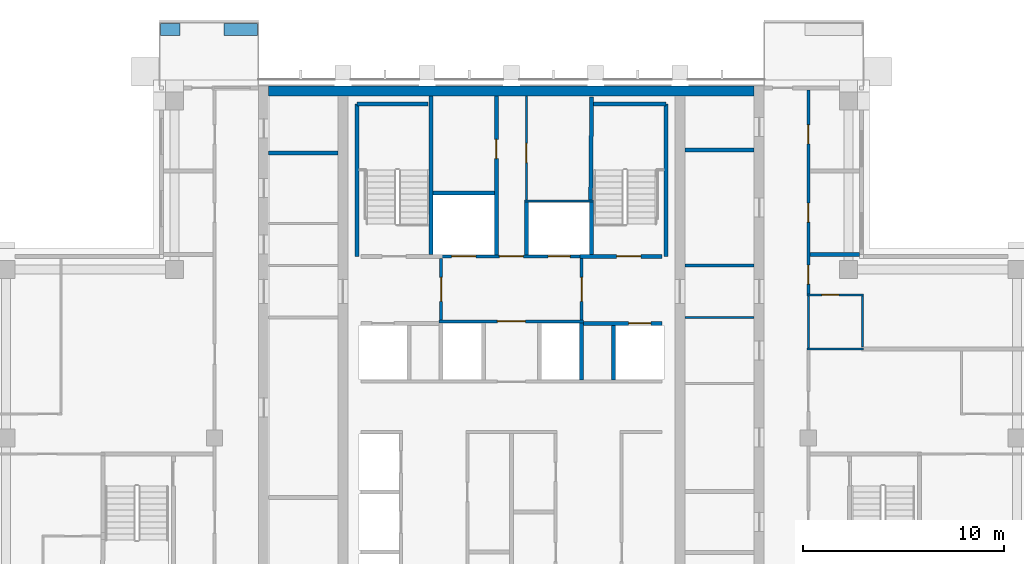
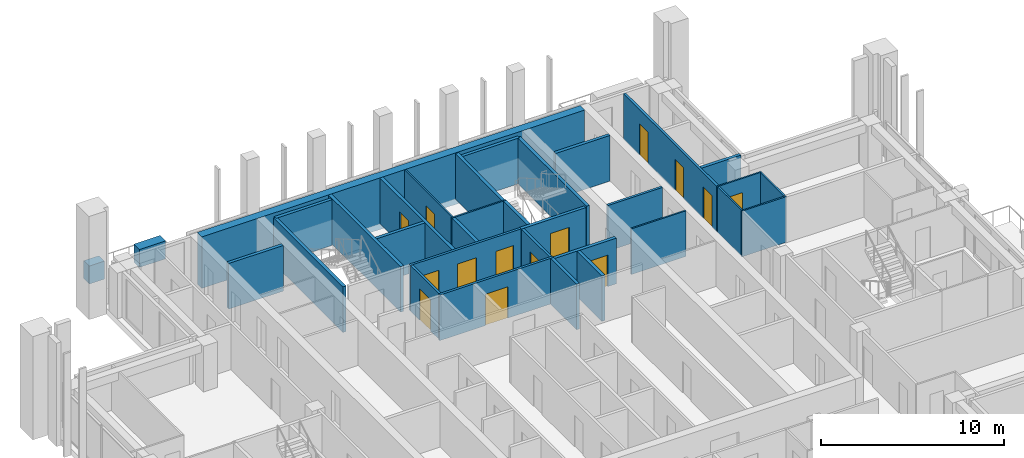
# One storey, part 13 of 18: 33 walls, 14 doors, 14 openings.
"""IFC4 building model written with IfcOpenShell, lengths in metres."""

from ifc_helpers import new_model, si_unit, direction, frame, frame_2d, origin, place, context, subcontext, project, spatial, rectangle, extrude, material, layer, layer_set, type_object, element, fill, save


model = new_model("IFC4")

# Units and contexts
model_context = context("Model", 3, precision=1e-05, world=origin(), true_north=direction((0.0, 1.0)))
body_context = subcontext(model_context, "Body", "Model", "MODEL_VIEW")
ifc_project = project(units=[si_unit("LENGTHUNIT", "METRE"), si_unit("AREAUNIT", "SQUARE_METRE"), si_unit("VOLUMEUNIT", "CUBIC_METRE"), si_unit("PLANEANGLEUNIT", "RADIAN"), si_unit("MASSUNIT", "GRAM", prefix="KILO")], contexts=[model_context])

# Site, building, storey
site_placement = place(None, origin())
site = spatial("IfcSite", under=ifc_project, at=site_placement, CompositionType="ELEMENT")
building_placement = place(site_placement, origin())
building = spatial("IfcBuilding", under=site, at=building_placement, Name="Vermilion Ogive Tower", CompositionType="ELEMENT")
storey_placement = place(building_placement, frame((0.0, 0.0, 240.699951171875)))
storey = spatial("IfcBuildingStorey", under=building, at=storey_placement, Name="L63", CompositionType="ELEMENT", Elevation=240.699951171875)

# Walls
ifc_material_1 = material(Name="Concrete B60", Category="concrete")
ifc_layer_1 = layer(ifc_material_1, 0.5)
ifc_layer_set_1 = layer_set([ifc_layer_1], Name="Core wall 500 B60")
wall_type_1 = type_object("IfcWallType", Name="Core wall 500 B60", PredefinedType="SHEAR", material=ifc_layer_set_1)
wall_1_placement = place(storey_placement, frame((-12.10009765625, 21.5, -0.39990234375), z_axis=(0.0, 0.0, 1.0), x_axis=(1.0, 0.0, 0.0)))
element("IfcWall", 1, at=wall_1_placement, inside=storey, type_object=wall_type_1, Name="L63-CORE-N", PredefinedType="SHEAR", context=body_context, shape_type="SweptSolid", body=[
    extrude(rectangle(XDim=24.2001953125, YDim=0.5, at=frame_2d((12.10009765625, 0.0))), origin(), (0.0, 0.0, 1.0), 3.449951171875),
])
ifc_material_2 = material(Name="Gypsum board partition on steel studs", Category="steel")
ifc_layer_2 = layer(ifc_material_2, 0.10009765625)
ifc_layer_set_2 = layer_set([ifc_layer_2], Name="Partition 100 bath")
wall_type_2 = type_object("IfcWallType", Name="Partition 100 bath", PredefinedType="PARTITIONING", material=ifc_layer_set_2)
wall_2_placement = place(storey_placement, frame((14.72509765625, 8.6298828125, 0.0), z_axis=(0.0, 0.0, 1.0), x_axis=(1.0, 0.0, 0.0)))
element("IfcWall", 2, at=wall_2_placement, inside=storey, type_object=wall_type_2, Name="L63-W-W030", PredefinedType="PARTITIONING", context=body_context, shape_type="SweptSolid", body=[
    extrude(rectangle(XDim=2.824951171875, YDim=0.10009765625, at=frame_2d((1.41259765625, 0.0))), origin(), (0.0, 0.0, 1.0), 3.050048828125),
])

# Wall, opening, door
wall_3_placement = place(storey_placement, frame((14.72509765625, 11.330078125, 0.0), z_axis=(0.0, 0.0, 1.0), x_axis=(1.0, 0.0, 0.0)))
wall_3 = element("IfcWall", 3, at=wall_3_placement, inside=storey, type_object=wall_type_2, Name="L63-W-W032", PredefinedType="PARTITIONING", context=body_context, shape_type="SweptSolid", body=[
    extrude(rectangle(XDim=2.824951171875, YDim=0.10009765625, at=frame_2d((1.41259765625, 0.0))), origin(), (0.0, 0.0, 1.0), 3.050048828125),
])
opening_1_placement = place(wall_3_placement, frame((0.75, 0.0, 0.0)))
opening_1 = element("IfcOpeningElement", 4, at=opening_1_placement, cuts=wall_3, Name="Opening D5G3020", PredefinedType="OPENING", context=body_context, shape_type="SweptSolid", body=[
    extrude(rectangle(XDim=0.85009765625, YDim=2.10009765625, at=frame_2d((0.425048828125, 1.050048828125))), frame((0.0, 0.06005859375, 0.0), z_axis=(0.0, -1.0, 0.0), x_axis=(1.0, 0.0, 0.0)), (0.0, 0.0, 1.0), 0.1201171875),
])
ifc_material_3 = material(Name="Timber door leaf", Category="wood")
door_type_1 = type_object("IfcDoorType", Name="Bath door 850 x 2100 FD30", OperationType="SINGLE_SWING_LEFT", PredefinedType="DOOR", material=ifc_material_3)
door_1_placement = place(opening_1_placement, origin())
door_1 = element("IfcDoor", 5, at=door_1_placement, inside=storey, type_object=door_type_1, Name="L63-D-D020", OperationType="SINGLE_SWING_RIGHT", OverallHeight=2.10009765625, OverallWidth=0.85009765625, PredefinedType="DOOR", context=body_context, shape_type="SweptSolid", body=[
    extrude(rectangle(XDim=0.85009765625, YDim=2.10009765625, at=frame_2d((0.425048828125, 1.050048828125))), frame((0.0, 0.02490234375, 0.0), z_axis=(0.0, -1.0, 0.0), x_axis=(1.0, 0.0, 0.0)), (0.0, 0.0, 1.0), 0.050048828125),
])
fill(opening_1, door_1)

# Walls
wall_4_placement = place(storey_placement, frame((14.800048828125, 8.679931640625, 0.0), z_axis=(0.0, 0.0, 1.0), x_axis=(0.0, 1.0, 0.0)))
element("IfcWall", 6, at=wall_4_placement, inside=storey, type_object=wall_type_2, Name="L63-W-W055", PredefinedType="PARTITIONING", context=body_context, shape_type="SweptSolid", body=[
    extrude(rectangle(XDim=2.60009765625, YDim=0.10009765625, at=frame_2d((1.300048828125, 0.0))), origin(), (0.0, 0.0, 1.0), 3.050048828125),
])
wall_5_placement = place(storey_placement, frame((17.5, 8.72998046875, 0.0), z_axis=(0.0, 0.0, 1.0), x_axis=(0.0, 1.0, 0.0)))
element("IfcWall", 7, at=wall_5_placement, inside=storey, type_object=wall_type_2, Name="L63-W-W059", PredefinedType="PARTITIONING", context=body_context, shape_type="SweptSolid", body=[
    extrude(rectangle(XDim=2.550048828125, YDim=0.10009765625, at=frame_2d((1.27490234375, 0.0))), origin(), (0.0, 0.0, 1.0), 3.050048828125),
])
wall_6_placement = place(storey_placement, frame((0.64990234375, 16.0, 0.0), z_axis=(0.0, 0.0, 1.0), x_axis=(1.0, 0.0, 0.0)))
element("IfcWall", 8, at=wall_6_placement, inside=storey, type_object=wall_type_2, Name="L63-CK-W-W018", PredefinedType="PARTITIONING", context=body_context, shape_type="SweptSolid", body=[
    extrude(rectangle(XDim=3.4501953125, YDim=0.10009765625, at=frame_2d((1.72509765625, 0.0))), origin(), (0.0, 0.0, 1.0), 3.050048828125),
])

# Wall, opening, door
wall_7_placement = place(storey_placement, frame((0.75, 16.050048828125, 0.0), z_axis=(0.0, 0.0, 1.0), x_axis=(0.0, 1.0, 0.0)))
wall_7 = element("IfcWall", 9, at=wall_7_placement, inside=storey, type_object=wall_type_2, Name="L63-CK-W-W030", PredefinedType="PARTITIONING", context=body_context, shape_type="SweptSolid", body=[
    extrude(rectangle(XDim=5.198974609375, YDim=0.10009765625, at=frame_2d((2.599609375, 0.0))), origin(), (0.0, 0.0, 1.0), 3.050048828125),
])
opening_2_placement = place(wall_7_placement, frame((1.875, 0.0, 0.0)))
opening_2 = element("IfcOpeningElement", 10, at=opening_2_placement, cuts=wall_7, Name="Opening DAA597", PredefinedType="OPENING", context=body_context, shape_type="SweptSolid", body=[
    extrude(rectangle(XDim=0.949951171875, YDim=2.10009765625, at=frame_2d((0.47509765625, 1.050048828125))), frame((0.0, 0.06005859375, 0.0), z_axis=(0.0, -1.0, 0.0), x_axis=(1.0, 0.0, 0.0)), (0.0, 0.0, 1.0), 0.1201171875),
])
ifc_material_4 = material(Name="Timber door leaf", Category="wood")
door_type_2 = type_object("IfcDoorType", Name="Service door 950 x 2100 FD60", OperationType="SINGLE_SWING_LEFT", PredefinedType="DOOR", material=ifc_material_4)
door_2_placement = place(opening_2_placement, origin())
door_2 = element("IfcDoor", 11, at=door_2_placement, inside=storey, type_object=door_type_2, Name="L63-CK-D-D022", OperationType="SINGLE_SWING_LEFT", OverallHeight=2.10009765625, OverallWidth=0.949951171875, PredefinedType="DOOR", context=body_context, shape_type="SweptSolid", body=[
    extrude(rectangle(XDim=0.949951171875, YDim=2.10009765625, at=frame_2d((0.47509765625, 1.050048828125))), frame((0.0, 0.02490234375, 0.0), z_axis=(0.0, -1.0, 0.0), x_axis=(1.0, 0.0, 0.0)), (0.0, 0.0, 1.0), 0.050048828125),
])
fill(opening_2, door_2)

# Wall
wall_8_placement = place(storey_placement, frame((8.65087890625, 10.199951171875, 0.0), z_axis=(0.0, 0.0, 1.0), x_axis=(1.0, 0.0, 0.0)))
element("IfcWall", 12, at=wall_8_placement, inside=storey, type_object=wall_type_2, Name="L63-CKE-W-W004", PredefinedType="PARTITIONING", context=body_context, shape_type="SweptSolid", body=[
    extrude(rectangle(XDim=3.4482421875, YDim=0.10009765625, at=frame_2d((1.72412109375, 0.0))), origin(), (0.0, 0.0, 1.0), 3.050048828125),
])

# Wall, openings, doors
ifc_material_5 = material(Name="Gypsum board partition on steel studs", Category="steel")
ifc_layer_3 = layer(ifc_material_5, 0.14990234375)
ifc_layer_set_3 = layer_set([ifc_layer_3], Name="Partition 150 corridor")
wall_type_3 = type_object("IfcWallType", Name="Partition 150 corridor", PredefinedType="PARTITIONING", material=ifc_layer_set_3)
wall_9_placement = place(storey_placement, frame((14.800048828125, 11.3798828125, 0.0), z_axis=(0.0, 0.0, 1.0), x_axis=(0.0, 1.0, 0.0)))
wall_9 = element("IfcWall", 13, at=wall_9_placement, inside=storey, type_object=wall_type_3, Name="L63-W-W056", PredefinedType="PARTITIONING", context=body_context, shape_type="SweptSolid", body=[
    extrude(rectangle(XDim=10.170166015625, YDim=0.14990234375, at=frame_2d((5.0849609375, 0.0))), origin(), (0.0, 0.0, 1.0), 3.050048828125),
])
opening_3_placement = place(wall_9_placement, frame((0.485107421875, 0.0, 0.0)))
opening_3 = element("IfcOpeningElement", 14, at=opening_3_placement, cuts=wall_9, Name="Opening D5G3019", PredefinedType="OPENING", context=body_context, shape_type="SweptSolid", body=[
    extrude(rectangle(XDim=0.949951171875, YDim=2.10009765625, at=frame_2d((0.47509765625, 1.050048828125))), frame((0.0, 0.0849609375, 0.0), z_axis=(0.0, -1.0, 0.0), x_axis=(1.0, 0.0, 0.0)), (0.0, 0.0, 1.0), 0.169921875),
])
opening_4_placement = place(wall_9_placement, frame((3.570068359375, 0.0, 0.0)))
opening_4 = element("IfcOpeningElement", 15, at=opening_4_placement, cuts=wall_9, Name="Opening D5G3021", PredefinedType="OPENING", context=body_context, shape_type="SweptSolid", body=[
    extrude(rectangle(XDim=0.949951171875, YDim=2.10009765625, at=frame_2d((0.47509765625, 1.050048828125))), frame((0.0, 0.0849609375, 0.0), z_axis=(0.0, -1.0, 0.0), x_axis=(1.0, 0.0, 0.0)), (0.0, 0.0, 1.0), 0.169921875),
])
opening_5_placement = place(wall_9_placement, frame((7.47021484375, 0.0, 0.0)))
opening_5 = element("IfcOpeningElement", 16, at=opening_5_placement, cuts=wall_9, Name="Opening D5G3022", PredefinedType="OPENING", context=body_context, shape_type="SweptSolid", body=[
    extrude(rectangle(XDim=0.949951171875, YDim=2.10009765625, at=frame_2d((0.47509765625, 1.050048828125))), frame((0.0, 0.0849609375, 0.0), z_axis=(0.0, -1.0, 0.0), x_axis=(1.0, 0.0, 0.0)), (0.0, 0.0, 1.0), 0.169921875),
])
ifc_material_6 = material(Name="Timber door leaf", Category="wood")
door_type_3 = type_object("IfcDoorType", Name="Unit door 950 x 2100 FD30S", OperationType="SINGLE_SWING_LEFT", PredefinedType="DOOR", material=ifc_material_6)
door_3_placement = place(opening_3_placement, origin())
door_3 = element("IfcDoor", 17, at=door_3_placement, inside=storey, type_object=door_type_3, Name="L63-D-D019", OperationType="SINGLE_SWING_RIGHT", OverallHeight=2.10009765625, OverallWidth=0.949951171875, PredefinedType="DOOR", context=body_context, shape_type="SweptSolid", body=[
    extrude(rectangle(XDim=0.949951171875, YDim=2.10009765625, at=frame_2d((0.47509765625, 1.050048828125))), frame((0.0, 0.02490234375, 0.0), z_axis=(0.0, -1.0, 0.0), x_axis=(1.0, 0.0, 0.0)), (0.0, 0.0, 1.0), 0.050048828125),
])
fill(opening_3, door_3)
door_4_placement = place(opening_4_placement, origin())
door_4 = element("IfcDoor", 18, at=door_4_placement, inside=storey, type_object=door_type_3, Name="L63-D-D021", OperationType="SINGLE_SWING_RIGHT", OverallHeight=2.10009765625, OverallWidth=0.949951171875, PredefinedType="DOOR", context=body_context, shape_type="SweptSolid", body=[
    extrude(rectangle(XDim=0.949951171875, YDim=2.10009765625, at=frame_2d((0.47509765625, 1.050048828125))), frame((0.0, 0.02490234375, 0.0), z_axis=(0.0, -1.0, 0.0), x_axis=(1.0, 0.0, 0.0)), (0.0, 0.0, 1.0), 0.050048828125),
])
fill(opening_4, door_4)
door_5_placement = place(opening_5_placement, origin())
door_5 = element("IfcDoor", 19, at=door_5_placement, inside=storey, type_object=door_type_3, Name="L63-D-D022", OperationType="SINGLE_SWING_RIGHT", OverallHeight=2.10009765625, OverallWidth=0.949951171875, PredefinedType="DOOR", context=body_context, shape_type="SweptSolid", body=[
    extrude(rectangle(XDim=0.949951171875, YDim=2.10009765625, at=frame_2d((0.47509765625, 1.050048828125))), frame((0.0, 0.02490234375, 0.0), z_axis=(0.0, -1.0, 0.0), x_axis=(1.0, 0.0, 0.0)), (0.0, 0.0, 1.0), 0.050048828125),
])
fill(opening_5, door_5)

# Wall, opening, door
wall_10_placement = place(storey_placement, frame((-3.60009765625, 10.0, 0.0), z_axis=(0.0, 0.0, 1.0), x_axis=(1.0, 0.0, 0.0)))
wall_10 = element("IfcWall", 20, at=wall_10_placement, inside=storey, type_object=wall_type_3, Name="L63-CK-W-W014", PredefinedType="PARTITIONING", context=body_context, shape_type="SweptSolid", body=[
    extrude(rectangle(XDim=7.2001953125, YDim=0.14990234375, at=frame_2d((3.60009765625, 0.0))), origin(), (0.0, 0.0, 1.0), 3.050048828125),
])
opening_6_placement = place(wall_10_placement, frame((2.900146484375, 0.0, 0.0)))
opening_6 = element("IfcOpeningElement", 21, at=opening_6_placement, cuts=wall_10, Name="Opening DAA588", PredefinedType="OPENING", context=body_context, shape_type="SweptSolid", body=[
    extrude(rectangle(XDim=1.39990234375, YDim=2.10009765625, at=frame_2d((0.699951171875, 1.050048828125))), frame((0.0, 0.0849609375, 0.0), z_axis=(0.0, -1.0, 0.0), x_axis=(1.0, 0.0, 0.0)), (0.0, 0.0, 1.0), 0.169921875),
])
ifc_material_7 = material(Name="Timber door leaf", Category="wood")
door_type_4 = type_object("IfcDoorType", Name="Lobby door 1400 x 2100 FD60S", OperationType="SINGLE_SWING_LEFT", PredefinedType="DOOR", material=ifc_material_7)
door_6_placement = place(opening_6_placement, origin())
door_6 = element("IfcDoor", 22, at=door_6_placement, inside=storey, type_object=door_type_4, Name="L63-CK-D-D017", OperationType="SINGLE_SWING_RIGHT", OverallHeight=2.10009765625, OverallWidth=1.39990234375, PredefinedType="DOOR", context=body_context, shape_type="SweptSolid", body=[
    extrude(rectangle(XDim=1.39990234375, YDim=2.10009765625, at=frame_2d((0.699951171875, 1.050048828125))), frame((0.0, 0.02490234375, 0.0), z_axis=(0.0, -1.0, 0.0), x_axis=(1.0, 0.0, 0.0)), (0.0, 0.0, 1.0), 0.050048828125),
])
fill(opening_6, door_6)

# Wall, openings, doors
wall_11_placement = place(storey_placement, frame((-3.574951171875, 13.25, 0.0), z_axis=(0.0, 0.0, 1.0), x_axis=(1.0, 0.0, 0.0)))
wall_11 = element("IfcWall", 23, at=wall_11_placement, inside=storey, type_object=wall_type_3, Name="L63-CK-W-W016", PredefinedType="PARTITIONING", context=body_context, shape_type="SweptSolid", body=[
    extrude(rectangle(XDim=7.14990234375, YDim=0.14990234375, at=frame_2d((3.574951171875, 0.0))), origin(), (0.0, 0.0, 1.0), 3.050048828125),
])
opening_7_placement = place(wall_11_placement, frame((0.599853515625, 0.0, 0.0)))
opening_7 = element("IfcOpeningElement", 24, at=opening_7_placement, cuts=wall_11, Name="Opening DAA608", PredefinedType="OPENING", context=body_context, shape_type="SweptSolid", body=[
    extrude(rectangle(XDim=1.199951171875, YDim=2.10009765625, at=frame_2d((0.60009765625, 1.050048828125))), frame((0.0, 0.0849609375, 0.0), z_axis=(0.0, -1.0, 0.0), x_axis=(1.0, 0.0, 0.0)), (0.0, 0.0, 1.0), 0.169921875),
])
opening_8_placement = place(wall_11_placement, frame((5.39990234375, 0.0, 0.0)))
opening_8 = element("IfcOpeningElement", 25, at=opening_8_placement, cuts=wall_11, Name="Opening DAA607", PredefinedType="OPENING", context=body_context, shape_type="SweptSolid", body=[
    extrude(rectangle(XDim=1.10009765625, YDim=2.10009765625, at=frame_2d((0.550048828125, 1.050048828125))), frame((0.0, 0.0849609375, 0.0), z_axis=(0.0, -1.0, 0.0), x_axis=(1.0, 0.0, 0.0)), (0.0, 0.0, 1.0), 0.169921875),
])
opening_9_placement = place(wall_11_placement, frame((2.974853515625, 0.0, 0.0)))
opening_9 = element("IfcOpeningElement", 26, at=opening_9_placement, cuts=wall_11, Name="Opening DAA589", PredefinedType="OPENING", context=body_context, shape_type="SweptSolid", body=[
    extrude(rectangle(XDim=1.199951171875, YDim=2.10009765625, at=frame_2d((0.60009765625, 1.050048828125))), frame((0.0, 0.0849609375, 0.0), z_axis=(0.0, -1.0, 0.0), x_axis=(1.0, 0.0, 0.0)), (0.0, 0.0, 1.0), 0.169921875),
])
ifc_material_8 = material(Name="Stainless steel", Category="steel")
door_type_5 = type_object("IfcDoorType", Name="Lift landing door 1100 x 2100", OperationType="SLIDING_TO_LEFT", PredefinedType="DOOR", material=ifc_material_8)
door_7_placement = place(opening_8_placement, origin())
door_7 = element("IfcDoor", 27, at=door_7_placement, inside=storey, type_object=door_type_5, Name="L63-CK-D-D019", OperationType="SLIDING_TO_LEFT", OverallHeight=2.10009765625, OverallWidth=1.10009765625, PredefinedType="DOOR", context=body_context, shape_type="SweptSolid", body=[
    extrude(rectangle(XDim=1.10009765625, YDim=2.10009765625, at=frame_2d((0.550048828125, 1.050048828125))), frame((0.0, 0.02490234375, 0.0), z_axis=(0.0, -1.0, 0.0), x_axis=(1.0, 0.0, 0.0)), (0.0, 0.0, 1.0), 0.050048828125),
])
fill(opening_8, door_7)
ifc_material_9 = material(Name="Stainless steel", Category="steel")
door_type_6 = type_object("IfcDoorType", Name="Lift landing door 1200 x 2100", OperationType="SLIDING_TO_LEFT", PredefinedType="DOOR", material=ifc_material_9)
door_8_placement = place(opening_7_placement, origin())
door_8 = element("IfcDoor", 28, at=door_8_placement, inside=storey, type_object=door_type_6, Name="L63-CK-D-D018", OperationType="SLIDING_TO_RIGHT", OverallHeight=2.10009765625, OverallWidth=1.199951171875, PredefinedType="DOOR", context=body_context, shape_type="SweptSolid", body=[
    extrude(rectangle(XDim=1.199951171875, YDim=2.10009765625, at=frame_2d((0.60009765625, 1.050048828125))), frame((0.0, 0.02490234375, 0.0), z_axis=(0.0, -1.0, 0.0), x_axis=(1.0, 0.0, 0.0)), (0.0, 0.0, 1.0), 0.050048828125),
])
fill(opening_7, door_8)
ifc_material_10 = material(Name="Timber door leaf", Category="wood")
door_type_7 = type_object("IfcDoorType", Name="Service door 1200 x 2100 FD60", OperationType="SINGLE_SWING_LEFT", PredefinedType="DOOR", material=ifc_material_10)
door_9_placement = place(opening_9_placement, origin())
door_9 = element("IfcDoor", 29, at=door_9_placement, inside=storey, type_object=door_type_7, Name="L63-CK-D-D020", OperationType="SINGLE_SWING_RIGHT", OverallHeight=2.10009765625, OverallWidth=1.199951171875, PredefinedType="DOOR", context=body_context, shape_type="SweptSolid", body=[
    extrude(rectangle(XDim=1.199951171875, YDim=2.10009765625, at=frame_2d((0.60009765625, 1.050048828125))), frame((0.0, 0.02490234375, 0.0), z_axis=(0.0, -1.0, 0.0), x_axis=(1.0, 0.0, 0.0)), (0.0, 0.0, 1.0), 0.050048828125),
])
fill(opening_9, door_9)

# Wall, opening, door
wall_12_placement = place(storey_placement, frame((-3.5, 10.074951171875, 0.0), z_axis=(0.0, 0.0, 1.0), x_axis=(0.0, 1.0, 0.0)))
wall_12 = element("IfcWall", 30, at=wall_12_placement, inside=storey, type_object=wall_type_3, Name="L63-CK-W-W024", PredefinedType="PARTITIONING", context=body_context, shape_type="SweptSolid", body=[
    extrude(rectangle(XDim=3.074951171875, YDim=0.14990234375, at=frame_2d((1.53759765625, 0.0))), origin(), (0.0, 0.0, 1.0), 3.050048828125),
])
opening_10_placement = place(wall_12_placement, frame((0.925048828125, 0.0, 0.0)))
opening_10 = element("IfcOpeningElement", 31, at=opening_10_placement, cuts=wall_12, Name="Opening DAA585", PredefinedType="OPENING", context=body_context, shape_type="SweptSolid", body=[
    extrude(rectangle(XDim=1.199951171875, YDim=2.10009765625, at=frame_2d((0.60009765625, 1.050048828125))), frame((0.0, 0.0849609375, 0.0), z_axis=(0.0, -1.0, 0.0), x_axis=(1.0, 0.0, 0.0)), (0.0, 0.0, 1.0), 0.169921875),
])
ifc_material_11 = material(Name="Timber door leaf", Category="wood")
door_type_8 = type_object("IfcDoorType", Name="Lobby door 1200 x 2100 FD60S", OperationType="SINGLE_SWING_LEFT", PredefinedType="DOOR", material=ifc_material_11)
door_10_placement = place(opening_10_placement, origin())
door_10 = element("IfcDoor", 32, at=door_10_placement, inside=storey, type_object=door_type_8, Name="L63-CK-D-D023", OperationType="SINGLE_SWING_RIGHT", OverallHeight=2.10009765625, OverallWidth=1.199951171875, PredefinedType="DOOR", context=body_context, shape_type="SweptSolid", body=[
    extrude(rectangle(XDim=1.199951171875, YDim=2.10009765625, at=frame_2d((0.60009765625, 1.050048828125))), frame((0.0, 0.02490234375, 0.0), z_axis=(0.0, -1.0, 0.0), x_axis=(1.0, 0.0, 0.0)), (0.0, 0.0, 1.0), 0.050048828125),
])
fill(opening_10, door_10)

wall_13_placement = place(storey_placement, frame((3.5, 10.074951171875, 0.0), z_axis=(0.0, 0.0, 1.0), x_axis=(0.0, 1.0, 0.0)))
wall_13 = element("IfcWall", 33, at=wall_13_placement, inside=storey, type_object=wall_type_3, Name="L63-CK-W-W034", PredefinedType="PARTITIONING", context=body_context, shape_type="SweptSolid", body=[
    extrude(rectangle(XDim=3.074951171875, YDim=0.14990234375, at=frame_2d((1.53759765625, 0.0))), origin(), (0.0, 0.0, 1.0), 3.050048828125),
])
opening_11_placement = place(wall_13_placement, frame((0.925048828125, 0.0, 0.0)))
opening_11 = element("IfcOpeningElement", 34, at=opening_11_placement, cuts=wall_13, Name="Opening DAA586", PredefinedType="OPENING", context=body_context, shape_type="SweptSolid", body=[
    extrude(rectangle(XDim=1.199951171875, YDim=2.10009765625, at=frame_2d((0.60009765625, 1.050048828125))), frame((0.0, 0.0849609375, 0.0), z_axis=(0.0, -1.0, 0.0), x_axis=(1.0, 0.0, 0.0)), (0.0, 0.0, 1.0), 0.169921875),
])
door_11_placement = place(opening_11_placement, origin())
door_11 = element("IfcDoor", 35, at=door_11_placement, inside=storey, type_object=door_type_8, Name="L63-CK-D-D024", OperationType="SINGLE_SWING_LEFT", OverallHeight=2.10009765625, OverallWidth=1.199951171875, PredefinedType="DOOR", context=body_context, shape_type="SweptSolid", body=[
    extrude(rectangle(XDim=1.199951171875, YDim=2.10009765625, at=frame_2d((0.60009765625, 1.050048828125))), frame((0.0, 0.02490234375, 0.0), z_axis=(0.0, -1.0, 0.0), x_axis=(1.0, 0.0, 0.0)), (0.0, 0.0, 1.0), 0.050048828125),
])
fill(opening_11, door_11)

# Walls
wall_14_placement = place(storey_placement, frame((8.65087890625, 12.800048828125, 0.0), z_axis=(0.0, 0.0, 1.0), x_axis=(1.0, 0.0, 0.0)))
element("IfcWall", 36, at=wall_14_placement, inside=storey, type_object=wall_type_3, Name="L63-CKE-W-W005", PredefinedType="PARTITIONING", context=body_context, shape_type="SweptSolid", body=[
    extrude(rectangle(XDim=3.4482421875, YDim=0.14990234375, at=frame_2d((1.72412109375, 0.0))), origin(), (0.0, 0.0, 1.0), 3.050048828125),
])
ifc_material_12 = material(Name="Gypsum board partition on steel studs", Category="steel")
ifc_layer_4 = layer(ifc_material_12, 0.199951171875)
ifc_layer_set_4 = layer_set([ifc_layer_4], Name="Partition 200 party")
wall_type_4 = type_object("IfcWallType", Name="Partition 200 party", PredefinedType="PARTITIONING", material=ifc_layer_set_4)
wall_15_placement = place(storey_placement, frame((14.875, 13.35009765625, 0.0), z_axis=(0.0, 0.0, 1.0), x_axis=(1.0, 0.0, 0.0)))
element("IfcWall", 37, at=wall_15_placement, inside=storey, type_object=wall_type_4, Name="L63-W-W034", PredefinedType="PARTITIONING", context=body_context, shape_type="SweptSolid", body=[
    extrude(rectangle(XDim=2.47509765625, YDim=0.199951171875, at=frame_2d((1.237548828125, 0.0))), origin(), (0.0, 0.0, 1.0), 3.050048828125),
])

# Wall, opening, door
wall_16_placement = place(storey_placement, frame((3.60009765625, 9.89990234375, 0.0), z_axis=(0.0, 0.0, 1.0), x_axis=(1.0, 0.0, 0.0)))
wall_16 = element("IfcWall", 38, at=wall_16_placement, inside=storey, type_object=wall_type_4, Name="L63-CK-W-W013", PredefinedType="PARTITIONING", context=body_context, shape_type="SweptSolid", body=[
    extrude(rectangle(XDim=3.89990234375, YDim=0.199951171875, at=frame_2d((1.949951171875, 0.0))), origin(), (0.0, 0.0, 1.0), 3.050048828125),
])
opening_12_placement = place(wall_16_placement, frame((2.25, 0.0, 0.0)))
opening_12 = element("IfcOpeningElement", 39, at=opening_12_placement, cuts=wall_16, Name="Opening DAA606", PredefinedType="OPENING", context=body_context, shape_type="SweptSolid", body=[
    extrude(rectangle(XDim=1.10009765625, YDim=2.10009765625, at=frame_2d((0.550048828125, 1.050048828125))), frame((0.0, 0.10986328125, 0.0), z_axis=(0.0, -1.0, 0.0), x_axis=(1.0, 0.0, 0.0)), (0.0, 0.0, 1.0), 0.219970703125),
])
door_12_placement = place(opening_12_placement, origin())
door_12 = element("IfcDoor", 40, at=door_12_placement, inside=storey, type_object=door_type_5, Name="L63-CK-D-D015", OperationType="SLIDING_TO_LEFT", OverallHeight=2.10009765625, OverallWidth=1.10009765625, PredefinedType="DOOR", context=body_context, shape_type="SweptSolid", body=[
    extrude(rectangle(XDim=1.10009765625, YDim=2.10009765625, at=frame_2d((0.550048828125, 1.050048828125))), frame((0.0, 0.02490234375, 0.0), z_axis=(0.0, -1.0, 0.0), x_axis=(1.0, 0.0, 0.0)), (0.0, 0.0, 1.0), 0.050048828125),
])
fill(opening_12, door_12)

# Wall
wall_17_placement = place(storey_placement, frame((-3.89990234375, 16.39990234375, 0.0), z_axis=(0.0, 0.0, 1.0), x_axis=(1.0, 0.0, 0.0)))
element("IfcWall", 41, at=wall_17_placement, inside=storey, type_object=wall_type_4, Name="L63-CK-W-W019", PredefinedType="PARTITIONING", context=body_context, shape_type="SweptSolid", body=[
    extrude(rectangle(XDim=3.0498046875, YDim=0.199951171875, at=frame_2d((1.52490234375, 0.0))), origin(), (0.0, 0.0, 1.0), 3.050048828125),
])

# Wall, opening, door
wall_18_placement = place(storey_placement, frame((-0.75, 13.324951171875, 0.0), z_axis=(0.0, 0.0, 1.0), x_axis=(0.0, 1.0, 0.0)))
wall_18 = element("IfcWall", 42, at=wall_18_placement, inside=storey, type_object=wall_type_4, Name="L63-CK-W-W027", PredefinedType="PARTITIONING", context=body_context, shape_type="SweptSolid", body=[
    extrude(rectangle(XDim=7.924072265625, YDim=0.199951171875, at=frame_2d((3.9619140625, 0.0))), origin(), (0.0, 0.0, 1.0), 3.050048828125),
])
opening_13_placement = place(wall_18_placement, frame((4.800048828125, 0.0, 0.0)))
opening_13 = element("IfcOpeningElement", 43, at=opening_13_placement, cuts=wall_18, Name="Opening DAA596", PredefinedType="OPENING", context=body_context, shape_type="SweptSolid", body=[
    extrude(rectangle(XDim=0.949951171875, YDim=2.10009765625, at=frame_2d((0.47509765625, 1.050048828125))), frame((0.0, 0.10986328125, 0.0), z_axis=(0.0, -1.0, 0.0), x_axis=(1.0, 0.0, 0.0)), (0.0, 0.0, 1.0), 0.219970703125),
])
door_13_placement = place(opening_13_placement, origin())
door_13 = element("IfcDoor", 44, at=door_13_placement, inside=storey, type_object=door_type_2, Name="L63-CK-D-D021", OperationType="SINGLE_SWING_RIGHT", OverallHeight=2.10009765625, OverallWidth=0.949951171875, PredefinedType="DOOR", context=body_context, shape_type="SweptSolid", body=[
    extrude(rectangle(XDim=0.949951171875, YDim=2.10009765625, at=frame_2d((0.47509765625, 1.050048828125))), frame((0.0, 0.02490234375, 0.0), z_axis=(0.0, -1.0, 0.0), x_axis=(1.0, 0.0, 0.0)), (0.0, 0.0, 1.0), 0.050048828125),
])
fill(opening_13, door_13)

# Walls
wall_19_placement = place(storey_placement, frame((0.75, 13.324951171875, 0.0), z_axis=(0.0, 0.0, 1.0), x_axis=(0.0, 1.0, 0.0)))
element("IfcWall", 45, at=wall_19_placement, inside=storey, type_object=wall_type_4, Name="L63-CK-W-W029", PredefinedType="PARTITIONING", context=body_context, shape_type="SweptSolid", body=[
    extrude(rectangle(XDim=2.625, YDim=0.199951171875, at=frame_2d((1.3125, 0.0))), origin(), (0.0, 0.0, 1.0), 3.050048828125),
])
wall_20_placement = place(storey_placement, frame((3.5, 7.074951171875, 0.0), z_axis=(0.0, 0.0, 1.0), x_axis=(0.0, 1.0, 0.0)))
element("IfcWall", 46, at=wall_20_placement, inside=storey, type_object=wall_type_4, Name="L63-CK-W-W033", PredefinedType="PARTITIONING", context=body_context, shape_type="SweptSolid", body=[
    extrude(rectangle(XDim=2.85009765625, YDim=0.199951171875, at=frame_2d((1.425048828125, 0.0))), origin(), (0.0, 0.0, 1.0), 3.050048828125),
])
wall_21_placement = place(storey_placement, frame((5.10009765625, 7.074951171875, 0.0), z_axis=(0.0, 0.0, 1.0), x_axis=(0.0, 1.0, 0.0)))
element("IfcWall", 47, at=wall_21_placement, inside=storey, type_object=wall_type_4, Name="L63-CK-W-W037", PredefinedType="PARTITIONING", context=body_context, shape_type="SweptSolid", body=[
    extrude(rectangle(XDim=2.72509765625, YDim=0.199951171875, at=frame_2d((1.362548828125, 0.0))), origin(), (0.0, 0.0, 1.0), 3.050048828125),
])
for number, where, z_axis, x_axis, name in (
    (48, (-12.09912109375, 18.410888671875, 0.0), (0.0, 0.0, 1.0), (1.0, 0.0, 0.0), "L63-CKW-W-W005"),
    (49, (8.65087890625, 18.56005859375, 0.0), (0.0, 0.0, 1.0), (1.0, 0.0, 0.0), "L63-CKE-W-W006"),
):
    element("IfcWall", number, at=place(storey_placement, frame(where, z_axis=z_axis, x_axis=x_axis)), inside=storey, type_object=wall_type_4, Name=name, PredefinedType="PARTITIONING", context=body_context, shape_type="SweptSolid", body=[
        extrude(rectangle(XDim=3.4482421875, YDim=0.199951171875, at=frame_2d((1.72412109375, 0.0))), origin(), (0.0, 0.0, 1.0), 3.050048828125),
    ])

# Wall, opening, door
ifc_material_13 = material(Name="Concrete B60", Category="concrete")
ifc_layer_5 = layer(ifc_material_13, 0.199951171875)
ifc_layer_set_5 = layer_set([ifc_layer_5], Name="Stair shaft wall 200 Concrete B60")
wall_type_5 = type_object("IfcWallType", Name="Stair shaft wall 200 Concrete B60", PredefinedType="SOLIDWALL", material=ifc_layer_set_5)
wall_22_placement = place(storey_placement, frame((3.425048828125, 13.25, 0.0), z_axis=(0.0, 0.0, 1.0), x_axis=(1.0, 0.0, 0.0)))
wall_22 = element("IfcWall", 50, at=wall_22_placement, inside=storey, type_object=wall_type_5, Name="L63-CK-W-W017", PredefinedType="SOLIDWALL", context=body_context, shape_type="SweptSolid", body=[
    extrude(rectangle(XDim=4.074951171875, YDim=0.199951171875, at=frame_2d((2.03759765625, 0.0))), origin(), (0.0, 0.0, 1.0), 3.050048828125),
])
opening_14_placement = place(wall_22_placement, frame((1.824951171875, 0.0, 0.0)))
opening_14 = element("IfcOpeningElement", 51, at=opening_14_placement, cuts=wall_22, Name="Opening DAA599", PredefinedType="OPENING", context=body_context, shape_type="SweptSolid", body=[
    extrude(rectangle(XDim=1.199951171875, YDim=2.10009765625, at=frame_2d((0.60009765625, 1.050048828125))), frame((0.0, 0.10986328125, 0.0), z_axis=(0.0, -1.0, 0.0), x_axis=(1.0, 0.0, 0.0)), (0.0, 0.0, 1.0), 0.219970703125),
])
ifc_material_14 = material(Name="Timber door leaf", Category="wood")
door_type_9 = type_object("IfcDoorType", Name="Stair door 1200 x 2100 FD60S", OperationType="SINGLE_SWING_LEFT", PredefinedType="DOOR", material=ifc_material_14)
door_14_placement = place(opening_14_placement, origin())
door_14 = element("IfcDoor", 52, at=door_14_placement, inside=storey, type_object=door_type_9, Name="L63-CK-D-D014", OperationType="SINGLE_SWING_RIGHT", OverallHeight=2.10009765625, OverallWidth=1.199951171875, PredefinedType="DOOR", context=body_context, shape_type="SweptSolid", body=[
    extrude(rectangle(XDim=1.199951171875, YDim=2.10009765625, at=frame_2d((0.60009765625, 1.050048828125))), frame((0.0, 0.02490234375, 0.0), z_axis=(0.0, -1.0, 0.0), x_axis=(1.0, 0.0, 0.0)), (0.0, 0.0, 1.0), 0.050048828125),
])
fill(opening_14, door_14)

# Walls
wall_23_placement = place(storey_placement, frame((-4.0, 13.35009765625, 0.0), z_axis=(0.0, 0.0, 1.0), x_axis=(0.0, 1.0, 0.0)))
element("IfcWall", 53, at=wall_23_placement, inside=storey, type_object=wall_type_5, Name="L63-CK-W-W022", PredefinedType="SOLIDWALL", context=body_context, shape_type="SweptSolid", body=[
    extrude(rectangle(XDim=7.89892578125, YDim=0.199951171875, at=frame_2d((3.949462890625, 0.0))), origin(), (0.0, 0.0, 1.0), 3.050048828125),
])
wall_24_placement = place(storey_placement, frame((4.0, 13.35009765625, 0.0), z_axis=(0.0, 0.0, 1.0), x_axis=(0.0, 1.0, 0.0)))
element("IfcWall", 54, at=wall_24_placement, inside=storey, type_object=wall_type_5, Name="L63-CK-W-W035", PredefinedType="SOLIDWALL", context=body_context, shape_type="SweptSolid", body=[
    extrude(rectangle(XDim=2.599853515625, YDim=0.199951171875, at=frame_2d((1.2998046875, 0.0))), origin(), (0.0, 0.0, 1.0), 3.050048828125),
])
wall_25_placement = place(storey_placement, frame((3.949951171875, 16.050048828125, 0.0), z_axis=(0.0, 0.0, 1.0), x_axis=(0.009719787395, 0.999952761751, 0.0)))
element("IfcWall", 55, at=wall_25_placement, inside=storey, type_object=wall_type_5, Name="L63-CK-W-W036", PredefinedType="SOLIDWALL", context=body_context, shape_type="SweptSolid", body=[
    extrude(rectangle(XDim=5.149169921875, YDim=0.199951171875, at=frame_2d((2.57470703125, 0.0))), origin(), (0.0, 0.0, 1.0), 3.050048828125),
])
wall_26_placement = place(storey_placement, frame((-7.699951171875, 13.25, 0.0), z_axis=(0.0, 0.0, 1.0), x_axis=(0.0, 1.0, 0.0)))
element("IfcWall", 56, at=wall_26_placement, inside=storey, type_object=wall_type_5, Name="L63-SW-R018-W1", PredefinedType="SOLIDWALL", context=body_context, shape_type="SweptSolid", body=[
    extrude(rectangle(XDim=7.60009765625, YDim=0.199951171875, at=frame_2d((3.800048828125, 0.0))), origin(), (0.0, 0.0, 1.0), 3.050048828125),
])
wall_27_placement = place(storey_placement, frame((-7.699951171875, 20.85009765625, 0.0), z_axis=(0.0, 0.0, 1.0), x_axis=(1.0, 0.0, 0.0)))
element("IfcWall", 57, at=wall_27_placement, inside=storey, type_object=wall_type_5, Name="L63-SW-R018-N1", PredefinedType="SOLIDWALL", context=body_context, shape_type="SweptSolid", body=[
    extrude(rectangle(XDim=3.550048828125, YDim=0.199951171875, at=frame_2d((1.77490234375, 0.0))), origin(), (0.0, 0.0, 1.0), 3.050048828125),
])
wall_28_placement = place(storey_placement, frame((7.699951171875, 13.25, 0.0), z_axis=(0.0, 0.0, 1.0), x_axis=(0.0, 1.0, 0.0)))
element("IfcWall", 58, at=wall_28_placement, inside=storey, type_object=wall_type_5, Name="L63-SW-R022-E1", PredefinedType="SOLIDWALL", context=body_context, shape_type="SweptSolid", body=[
    extrude(rectangle(XDim=7.60009765625, YDim=0.199951171875, at=frame_2d((3.800048828125, 0.0))), origin(), (0.0, 0.0, 1.0), 3.050048828125),
])
wall_29_placement = place(storey_placement, frame((4.10009765625, 20.85009765625, 0.0), z_axis=(0.0, 0.0, 1.0), x_axis=(1.0, 0.0, 0.0)))
element("IfcWall", 59, at=wall_29_placement, inside=storey, type_object=wall_type_5, Name="L63-SW-R022-N1", PredefinedType="SOLIDWALL", context=body_context, shape_type="SweptSolid", body=[
    extrude(rectangle(XDim=3.599853515625, YDim=0.199951171875, at=frame_2d((1.7998046875, 0.0))), origin(), (0.0, 0.0, 1.0), 3.050048828125),
])
ifc_material_15 = material(Name="Concrete B40", Category="concrete")
ifc_layer_6 = layer(ifc_material_15, 0.60009765625)
ifc_layer_set_6 = layer_set([ifc_layer_6], Name="Structural planter")
wall_type_6 = type_object("IfcWallType", Name="Structural planter", PredefinedType="USERDEFINED", material=ifc_layer_set_6)
wall_30_placement = place(storey_placement, frame((-12.659912109375, 24.550048828125, -0.0400390625), z_axis=(0.0, 0.0, 1.0), x_axis=(-1.0, 0.0, 0.0)))
element("IfcWall", 60, at=wall_30_placement, inside=storey, type_object=wall_type_6, Name="Planter N201A1", ObjectType="PLANTER", PredefinedType="USERDEFINED", context=body_context, shape_type="SweptSolid", body=[
    extrude(rectangle(XDim=1.6650390625, YDim=0.60009765625, at=frame_2d((0.83251953125, 0.0))), origin(), (0.0, 0.0, 1.0), 1.2001953125),
])
wall_31_placement = place(storey_placement, frame((-16.52490234375, 24.550048828125, -0.0400390625), z_axis=(0.0, 0.0, 1.0), x_axis=(-1.0, 0.0, 0.0)))
element("IfcWall", 61, at=wall_31_placement, inside=storey, type_object=wall_type_6, Name="Planter N201A2", ObjectType="PLANTER", PredefinedType="USERDEFINED", context=body_context, shape_type="SweptSolid", body=[
    extrude(rectangle(XDim=0.965087890625, YDim=0.60009765625, at=frame_2d((0.482421875, 0.0))), origin(), (0.0, 0.0, 1.0), 1.2001953125),
])

save(model, "model.ifc")
